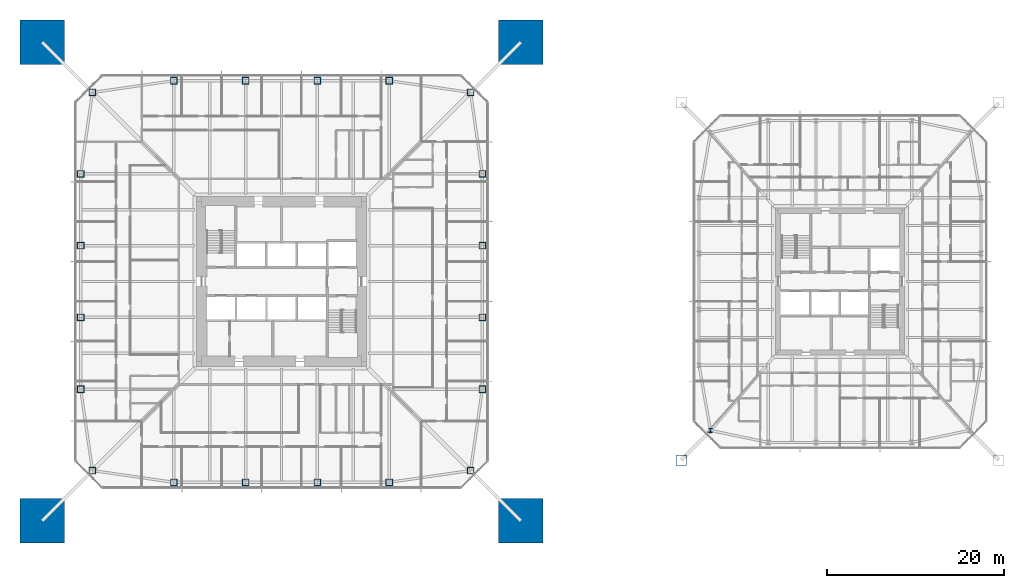
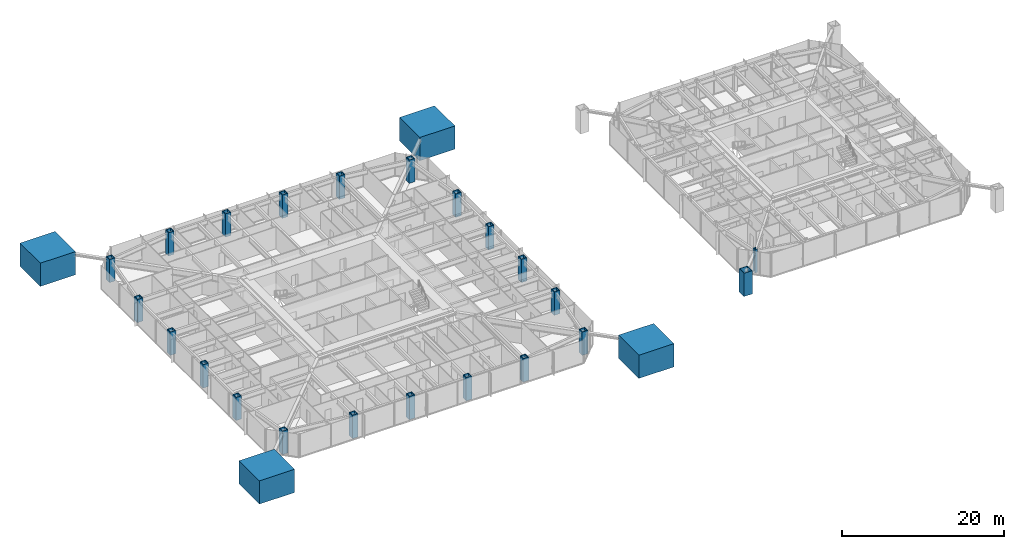
# One storey, part 1 of 26: 26 columns.
"""IFC4 building model written with IfcOpenShell, lengths in metres."""

from ifc_helpers import new_model, si_unit, direction, frame, origin, origin_2d, place, context, subcontext, project, spatial, rectangle, hollow_rectangle, i_section, extrude, material, material_profile, profile_set, type_object, element, save


model = new_model("IFC4")

# Units and contexts
model_context = context("Model", 3, precision=1e-05, world=origin(), true_north=direction((0.0, 1.0)))
body_context = subcontext(model_context, "Body", "Model", "MODEL_VIEW")
ifc_project = project(units=[si_unit("LENGTHUNIT", "METRE"), si_unit("AREAUNIT", "SQUARE_METRE"), si_unit("VOLUMEUNIT", "CUBIC_METRE"), si_unit("PLANEANGLEUNIT", "RADIAN"), si_unit("MASSUNIT", "GRAM", prefix="KILO")], contexts=[model_context])

# Site, building, storey
site_placement = place(None, origin())
site = spatial("IfcSite", under=ifc_project, at=site_placement, CompositionType="ELEMENT")
building_placement = place(site_placement, origin())
building = spatial("IfcBuilding", under=site, at=building_placement, Name="Iwan Alto Co-Living Towers", CompositionType="ELEMENT")
storey_placement = place(building_placement, frame((0.0, 0.0, 32.5)))
storey = spatial("IfcBuildingStorey", under=building, at=storey_placement, Name="L08", CompositionType="ELEMENT", Elevation=32.5)

# Columns
ifc_material_1 = material(Name="Concrete f'c 70 MPa", Category="concrete")
ifc_material_profile_1 = material_profile(ifc_material_1, rectangle(XDim=5.0, YDim=5.0, at=origin_2d()), Name="RC 5000X5000")
ifc_profile_set_1 = profile_set([ifc_material_profile_1], Name="Concrete f'c 70 MPa")
column_type_1 = type_object("IfcColumnType", Name="T1 MEGA COLUMN RC 5000X5000", PredefinedType="COLUMN", material=ifc_profile_set_1)
for number, where, z_axis, x_axis, name in (
    (1, (-27.0, -27.0, 0.0), (0.0, 0.0, 1.0), (1.0, 0.0, 0.0), "T1 mega column SW L08"),
    (2, (27.0, -27.0, 0.0), (0.0, 0.0, 1.0), (1.0, 0.0, 0.0), "T1 mega column SE L08"),
    (3, (27.0, 27.0, 0.0), (0.0, 0.0, 1.0), (1.0, 0.0, 0.0), "T1 mega column NE L08"),
    (4, (-27.0, 27.0, 0.0), (0.0, 0.0, 1.0), (1.0, 0.0, 0.0), "T1 mega column NW L08"),
):
    element("IfcColumn", number, at=place(storey_placement, frame(where, z_axis=z_axis, x_axis=x_axis)), inside=storey, type_object=column_type_1, Name=name, PredefinedType="COLUMN", context=body_context, shape_type="SweptSolid", body=[
        extrude(rectangle(XDim=5.0, YDim=5.0, at=origin_2d()), origin(), (0.0, 0.0, 1.0), 3.5),
        extrude(i_section(OverallWidth=0.4775390625, OverallDepth=0.599365234375, WebThickness=0.10009765625, FlangeThickness=0.139892578125, at=origin_2d()), origin(), (0.0, 0.0, 1.0), 3.5),
    ])
ifc_material_2 = material(Name="Steel ASTM A572 Gr 50", Category="steel")
ifc_material_profile_2 = material_profile(ifc_material_2, hollow_rectangle(XDim=0.800048828125, YDim=0.800048828125, WallThickness=0.090087890625, at=origin_2d()), Name="BOX 800X800X90")
ifc_profile_set_2 = profile_set([ifc_material_profile_2], Name="Steel ASTM A572 Gr 50")
column_type_2 = type_object("IfcColumnType", Name="T1 RING COLUMN BOX 800X800X90", PredefinedType="COLUMN", material=ifc_profile_set_2)
for number, where, z_axis, x_axis, name in (
    (5, (-21.32568359375, -21.32568359375, 0.0), (0.0, 0.0, 1.0), (1.0, 0.0, 0.0), "T1 ring column CSW L08"),
    (6, (-12.14990234375, -22.64990234375, 0.0), (0.0, 0.0, 1.0), (1.0, 0.0, 0.0), "T1 ring column S1 L08"),
    (7, (-4.050048828125, -22.64990234375, 0.0), (0.0, 0.0, 1.0), (1.0, 0.0, 0.0), "T1 ring column S2 L08"),
    (8, (4.050048828125, -22.64990234375, 0.0), (0.0, 0.0, 1.0), (1.0, 0.0, 0.0), "T1 ring column S3 L08"),
    (9, (12.14990234375, -22.64990234375, 0.0), (0.0, 0.0, 1.0), (1.0, 0.0, 0.0), "T1 ring column S4 L08"),
    (10, (21.32568359375, -21.32568359375, 0.0), (0.0, 0.0, 1.0), (1.0, 0.0, 0.0), "T1 ring column CSE L08"),
    (11, (22.64990234375, -12.14990234375, 0.0), (0.0, 0.0, 1.0), (1.0, 0.0, 0.0), "T1 ring column E1 L08"),
    (12, (22.64990234375, -4.050048828125, 0.0), (0.0, 0.0, 1.0), (1.0, 0.0, 0.0), "T1 ring column E2 L08"),
    (13, (22.64990234375, 4.050048828125, 0.0), (0.0, 0.0, 1.0), (1.0, 0.0, 0.0), "T1 ring column E3 L08"),
    (14, (22.64990234375, 12.14990234375, 0.0), (0.0, 0.0, 1.0), (1.0, 0.0, 0.0), "T1 ring column E4 L08"),
    (15, (21.32568359375, 21.32568359375, 0.0), (0.0, 0.0, 1.0), (1.0, 0.0, 0.0), "T1 ring column CNE L08"),
    (16, (12.14990234375, 22.64990234375, 0.0), (0.0, 0.0, 1.0), (1.0, 0.0, 0.0), "T1 ring column N1 L08"),
    (17, (4.050048828125, 22.64990234375, 0.0), (0.0, 0.0, 1.0), (1.0, 0.0, 0.0), "T1 ring column N2 L08"),
    (18, (-4.050048828125, 22.64990234375, 0.0), (0.0, 0.0, 1.0), (1.0, 0.0, 0.0), "T1 ring column N3 L08"),
    (19, (-12.14990234375, 22.64990234375, 0.0), (0.0, 0.0, 1.0), (1.0, 0.0, 0.0), "T1 ring column N4 L08"),
    (20, (-21.32568359375, 21.32568359375, 0.0), (0.0, 0.0, 1.0), (1.0, 0.0, 0.0), "T1 ring column CNW L08"),
    (21, (-22.64990234375, 12.14990234375, 0.0), (0.0, 0.0, 1.0), (1.0, 0.0, 0.0), "T1 ring column W1 L08"),
    (22, (-22.64990234375, 4.050048828125, 0.0), (0.0, 0.0, 1.0), (1.0, 0.0, 0.0), "T1 ring column W2 L08"),
    (23, (-22.64990234375, -4.050048828125, 0.0), (0.0, 0.0, 1.0), (1.0, 0.0, 0.0), "T1 ring column W3 L08"),
    (24, (-22.64990234375, -12.14990234375, 0.0), (0.0, 0.0, 1.0), (1.0, 0.0, 0.0), "T1 ring column W4 L08"),
):
    element("IfcColumn", number, at=place(storey_placement, frame(where, z_axis=z_axis, x_axis=x_axis)), inside=storey, type_object=column_type_2, Name=name, PredefinedType="COLUMN", context=body_context, shape_type="SweptSolid", body=[
        extrude(hollow_rectangle(XDim=0.800048828125, YDim=0.800048828125, WallThickness=0.090087890625, at=origin_2d()), origin(), (0.0, 0.0, 1.0), 3.5),
    ])
ifc_material_3 = material(Name="Steel ASTM A572 Gr 50", Category="steel")
ifc_material_profile_3 = material_profile(ifc_material_3, hollow_rectangle(XDim=1.199951171875, YDim=1.199951171875, WallThickness=0.070068359375, at=origin_2d()), Name="BOX 1200X1200X70")
ifc_profile_set_3 = profile_set([ifc_material_profile_3], Name="Steel ASTM A572 Gr 50")
column_type_3 = type_object("IfcColumnType", Name="T2 MEGA COLUMN BOX 1200X1200X70", PredefinedType="COLUMN", material=ifc_profile_set_3)
column_1_placement = place(storey_placement, frame((45.10009765625, -20.14990234375, 0.0), z_axis=(0.0, 0.0, 1.0), x_axis=(1.0, 0.0, 0.0)))
element("IfcColumn", 25, at=column_1_placement, inside=storey, type_object=column_type_3, Name="T2 mega column SW L08", PredefinedType="COLUMN", context=body_context, shape_type="SweptSolid", body=[
    extrude(hollow_rectangle(XDim=1.199951171875, YDim=1.199951171875, WallThickness=0.070068359375, at=origin_2d()), origin(), (0.0, 0.0, 1.0), 3.5),
])
ifc_material_4 = material(Name="Steel ASTM A992 Gr 50", Category="steel")
ifc_material_profile_4 = material_profile(ifc_material_4, i_section(OverallWidth=0.424072265625, OverallDepth=0.47509765625, WebThickness=0.0478515625, FlangeThickness=0.0771484375, at=origin_2d()), Name="W14X426")
ifc_profile_set_4 = profile_set([ifc_material_profile_4], Name="Steel ASTM A992 Gr 50")
column_type_4 = type_object("IfcColumnType", Name="T2 RING COLUMN W14X426", PredefinedType="COLUMN", material=ifc_profile_set_4)
column_2_placement = place(storey_placement, frame((48.393798828125, -16.797119140625, 0.0), z_axis=(0.0, 0.0, 1.0), x_axis=(1.0, 0.0, 0.0)))
element("IfcColumn", 26, at=column_2_placement, inside=storey, type_object=column_type_4, Name="T2 ring column CSW L08", PredefinedType="COLUMN", context=body_context, shape_type="SweptSolid", body=[
    extrude(i_section(OverallWidth=0.424072265625, OverallDepth=0.47509765625, WebThickness=0.0478515625, FlangeThickness=0.0771484375, at=origin_2d()), origin(), (0.0, 0.0, 1.0), 3.5),
])

save(model, "model.ifc")
